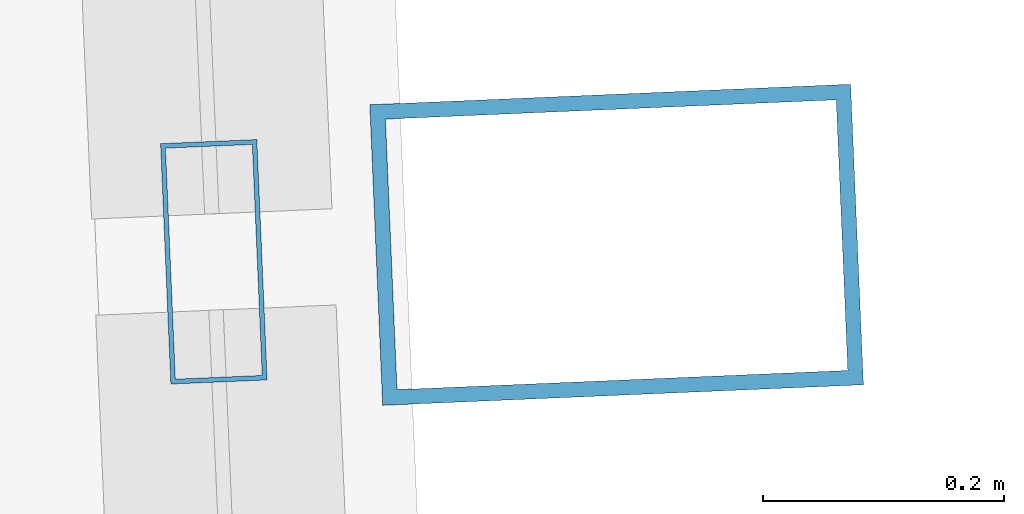
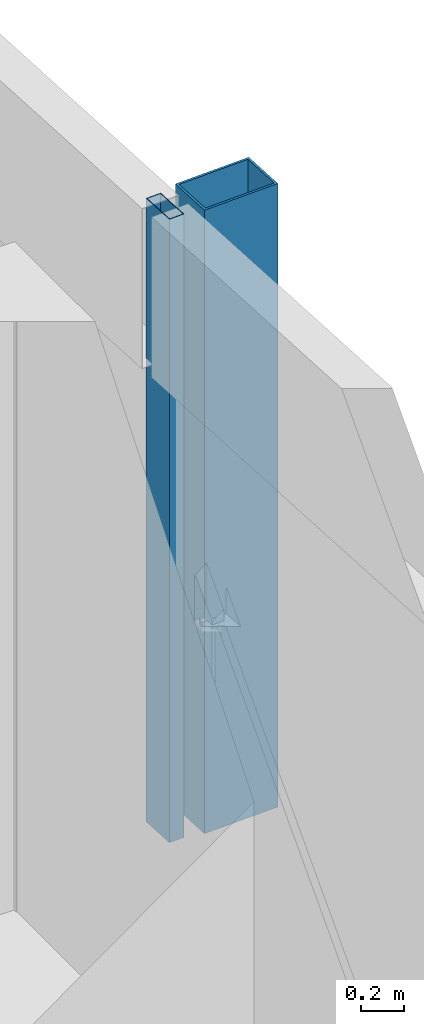
# One storey, part 29 of 44: 2 members, 1 element without a shape of its own.
"""IFC4 building model written with IfcOpenShell, lengths in metres."""

from ifc_helpers import new_model, si_unit, direction, frame, origin, origin_2d, place, context, subcontext, project, spatial, hollow_rectangle, extrude, material, material_profile, profile_set, type_object, element, aggregate, save


model = new_model("IFC4")

# Units and contexts
model_context = context("Model", 3, precision=1e-05, world=origin(), true_north=direction((0.0, 1.0)))
body_context = subcontext(model_context, "Body", "Model", "MODEL_VIEW")
ifc_project = project(units=[si_unit("LENGTHUNIT", "METRE"), si_unit("AREAUNIT", "SQUARE_METRE"), si_unit("VOLUMEUNIT", "CUBIC_METRE"), si_unit("PLANEANGLEUNIT", "RADIAN"), si_unit("MASSUNIT", "GRAM", prefix="KILO")], contexts=[model_context])

# Site, building, storey
site_placement = place(None, origin())
site = spatial("IfcSite", under=ifc_project, at=site_placement, CompositionType="ELEMENT")
building_placement = place(site_placement, origin())
building = spatial("IfcBuilding", under=site, at=building_placement, Name="Rekha Terrace Tower", CompositionType="ELEMENT")
storey_placement = place(building_placement, frame((0.0, 0.0, 62.89990234375)))
storey = spatial("IfcBuildingStorey", under=building, at=storey_placement, Name="L15", CompositionType="ELEMENT", Elevation=62.89990234375)

# Curtain wall, members
ifc_material_1 = material(Name="Aluminium framing", Category="aluminium")
curtain_wall_type = type_object("IfcCurtainWallType", Name="CW2 double skin outer glazing", PredefinedType="USERDEFINED", material=ifc_material_1)
curtain_wall_placement = place(storey_placement, origin())
curtain_wall = element("IfcCurtainWall", 1, at=curtain_wall_placement, inside=storey, type_object=curtain_wall_type, Name="CW2 double skin outer glazing", ObjectType="DOUBLE SKIN OUTER GLAZING", PredefinedType="USERDEFINED")
ifc_material_2 = material(Name="Steel S355 with fluorocarbon finish", Category="steel")
ifc_material_profile_1 = material_profile(ifc_material_2, hollow_rectangle(XDim=0.25, YDim=0.39990234375, WallThickness=0.012451171875, at=origin_2d()), Name="RHS400x250x12.5")
ifc_profile_set_1 = profile_set([ifc_material_profile_1], Name="Steel S355 with fluorocarbon finish")
member_type_1 = type_object("IfcMemberType", Name="BL1 facade blade RHS 400 x 250", PredefinedType="USERDEFINED", material=ifc_profile_set_1)
member_1_placement = place(storey_placement, frame((69.554443359375, 51.724609375, 0.0), z_axis=(0.0, 0.0, 1.0), x_axis=(-0.04269522475, 0.99908814315, 0.0)))
member_1 = element("IfcMember", 2, at=member_1_placement, type_object=member_type_1, Name="Facade blade", ObjectType="FACADE BLADE", PredefinedType="USERDEFINED", context=body_context, shape_type="SweptSolid", body=[
    extrude(hollow_rectangle(XDim=0.25, YDim=0.39990234375, WallThickness=0.012451171875, at=origin_2d()), origin(), (0.0, 0.0, 1.0), 3.5),
])
ifc_material_3 = material(Name="Aluminium mullion section", Category="aluminium")
ifc_material_profile_2 = material_profile(ifc_material_3, hollow_rectangle(XDim=0.080078125, YDim=0.199951171875, WallThickness=0.00390625, at=origin_2d()), Name="AL RHS 80x200")
ifc_profile_set_2 = profile_set([ifc_material_profile_2], Name="Aluminium mullion section")
member_type_2 = type_object("IfcMemberType", Name="CW2 mullion RHS 80 x 200", PredefinedType="MULLION", material=ifc_profile_set_2)
member_2_placement = place(storey_placement, frame((69.2197265625, 51.71044921875, 0.0), z_axis=(0.0, 0.0, 1.0), x_axis=(-0.999088106903, -0.042696072956, 0.0)))
member_2 = element("IfcMember", 3, at=member_2_placement, type_object=member_type_2, Name="CW2 mullion 4", PredefinedType="MULLION", context=body_context, shape_type="SweptSolid", body=[
    extrude(hollow_rectangle(XDim=0.080078125, YDim=0.199951171875, WallThickness=0.00390625, at=origin_2d()), origin(), (0.0, 0.0, 1.0), 3.5),
])
aggregate(curtain_wall, [member_2, member_1])

save(model, "model.ifc")
